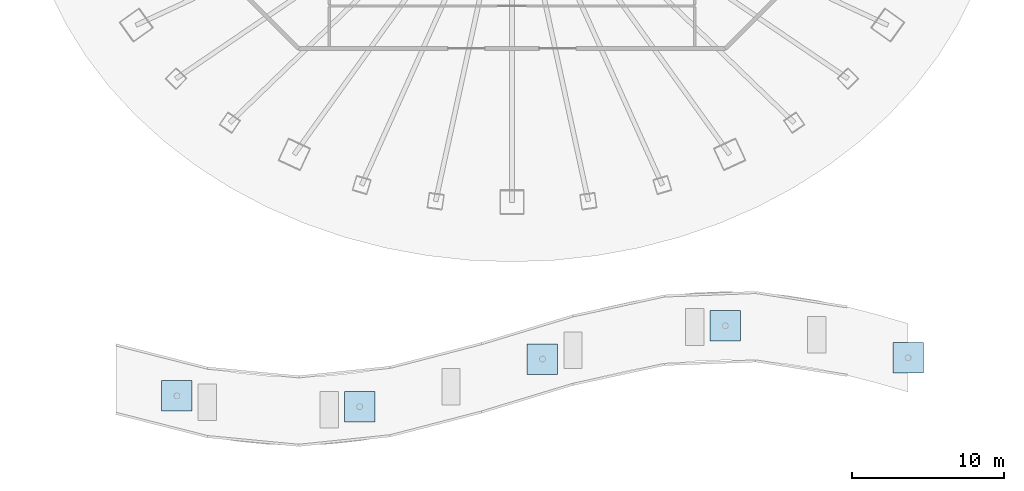
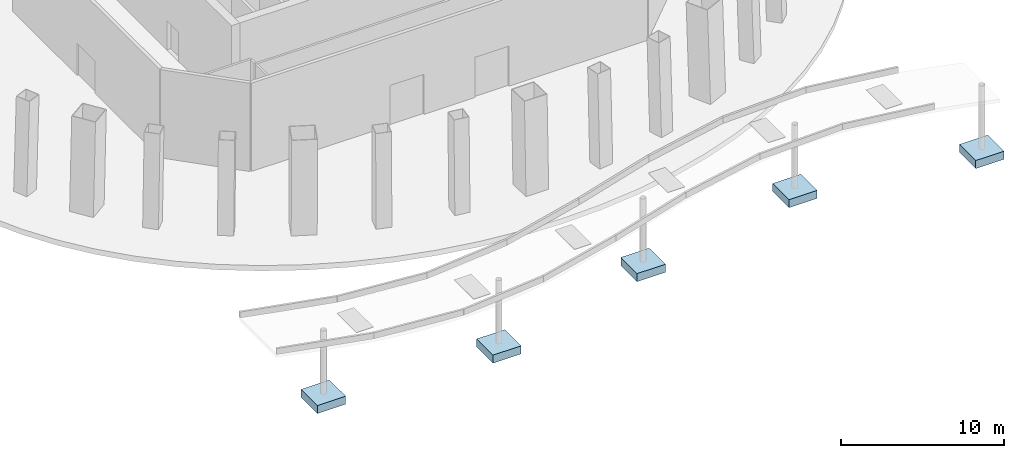
# One storey, part 1 of 10: 5 footings.
"""IFC4 building model written with IfcOpenShell, lengths in metres."""

from ifc_helpers import new_model, si_unit, direction, frame, origin, origin_2d, place, context, subcontext, project, spatial, rectangle, extrude, material, type_object, element, save


model = new_model("IFC4")

# Units and contexts
model_context = context("Model", 3, precision=1e-05, world=origin(), true_north=direction((0.0, 1.0)))
body_context = subcontext(model_context, "Body", "Model", "MODEL_VIEW")
ifc_project = project(units=[si_unit("LENGTHUNIT", "METRE"), si_unit("AREAUNIT", "SQUARE_METRE"), si_unit("VOLUMEUNIT", "CUBIC_METRE"), si_unit("PLANEANGLEUNIT", "RADIAN"), si_unit("MASSUNIT", "GRAM", prefix="KILO")], contexts=[model_context])

# Site, building, storey
site_placement = place(None, origin())
site = spatial("IfcSite", under=ifc_project, at=site_placement, CompositionType="ELEMENT")
building_placement = place(site_placement, origin())
building = spatial("IfcBuilding", under=site, at=building_placement, Name="Siaravel Broadcast Tower", CompositionType="ELEMENT")
storey_placement = place(building_placement, origin())
storey = spatial("IfcBuildingStorey", under=building, at=storey_placement, Name="L00", CompositionType="ELEMENT", Elevation=0.0)

# Footings
ifc_material = material(Name="Concrete C40/50", Category="concrete")
footing_type = type_object("IfcFootingType", Name="Canopy pad footing", PredefinedType="PAD_FOOTING", material=ifc_material)
for number, where, z_axis, x_axis, name in (
    (1, (-22.0, -35.797607421875, -0.60009765625), (0.0, 0.0, 1.0), (1.0, 0.0, 0.0), "Canopy footing 1"),
    (2, (-10.0, -36.50927734375, -0.60009765625), (0.0, 0.0, 1.0), (1.0, 0.0, 0.0), "Canopy footing 2"),
    (3, (2.0, -33.3828125, -0.60009765625), (0.0, 0.0, 1.0), (1.0, 0.0, 0.0), "Canopy footing 3"),
    (4, (14.0, -31.2001953125, -0.60009765625), (0.0, 0.0, 1.0), (1.0, 0.0, 0.0), "Canopy footing 4"),
    (5, (26.0, -33.2998046875, -0.60009765625), (0.0, 0.0, 1.0), (1.0, 0.0, 0.0), "Canopy footing 5"),
):
    element("IfcFooting", number, at=place(storey_placement, frame(where, z_axis=z_axis, x_axis=x_axis)), inside=storey, type_object=footing_type, Name=name, PredefinedType="PAD_FOOTING", context=body_context, shape_type="SweptSolid", body=[
        extrude(rectangle(XDim=2.0, YDim=2.0, at=origin_2d()), origin(), (0.0, 0.0, 1.0), 0.60009765625),
    ])

save(model, "model.ifc")
